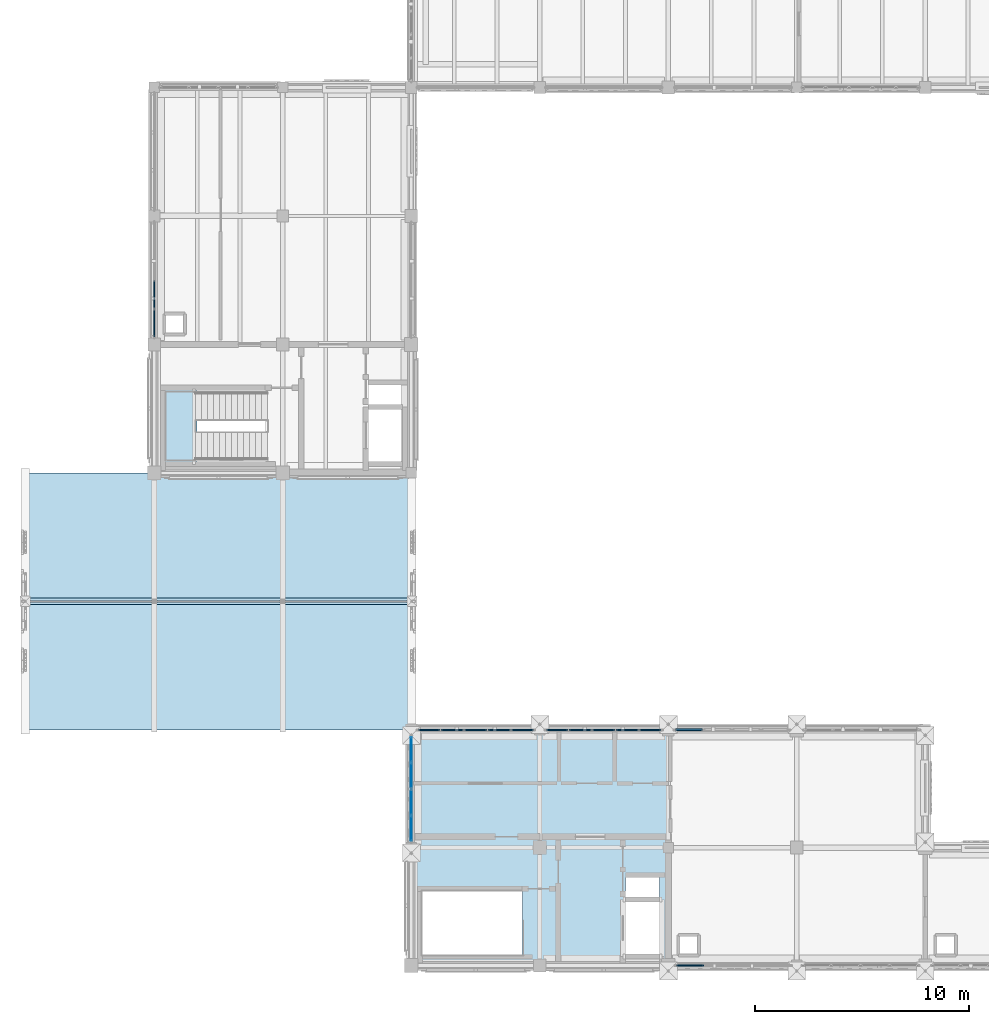
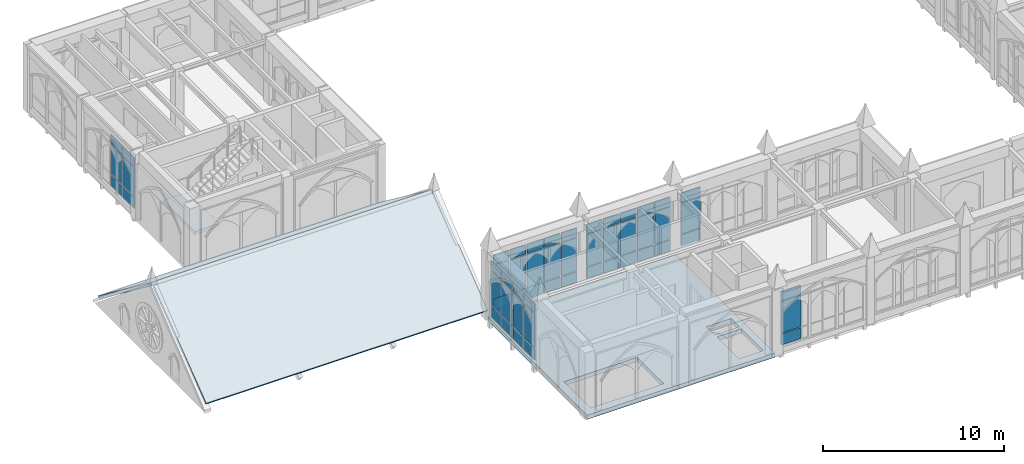
# One storey, part 84 of 143: 54 plates, 4 slabs, 7 elements without a shape of their own.
"""IFC4 building model written with IfcOpenShell, lengths in metres."""

from ifc_helpers import new_model, si_unit, direction, frame, origin, origin_2d, place, context, subcontext, project, spatial, polyline, rectangle, outline, extrude, material, layer, layer_set, type_object, element, aggregate, save


model = new_model("IFC4")

# Units and contexts
model_context = context("Model", 3, precision=1e-05, world=origin(), true_north=direction((0.0, 1.0)))
body_context = subcontext(model_context, "Body", "Model", "MODEL_VIEW")
ifc_project = project(units=[si_unit("LENGTHUNIT", "METRE"), si_unit("AREAUNIT", "SQUARE_METRE"), si_unit("VOLUMEUNIT", "CUBIC_METRE"), si_unit("PLANEANGLEUNIT", "RADIAN"), si_unit("MASSUNIT", "GRAM", prefix="KILO")], contexts=[model_context])

# Site, building, storey
site_placement = place(None, origin())
site = spatial("IfcSite", under=ifc_project, at=site_placement, CompositionType="ELEMENT")
building_placement = place(site_placement, origin())
building = spatial("IfcBuilding", under=site, at=building_placement, Name="Cumevento Cable Car Station", CompositionType="ELEMENT")
storey_placement = place(building_placement, frame((0.0, 0.0, 9.0)))
storey = spatial("IfcBuildingStorey", under=building, at=storey_placement, Name="L03", CompositionType="ELEMENT", Elevation=9.0)

# Slabs
ifc_material_1 = material(Name="Concrete C40/50", Category="concrete")
ifc_layer_1 = layer(ifc_material_1, 0.283935546875)
ifc_layer_set_1 = layer_set([ifc_layer_1], Name="Concrete C40/50")
slab_type_1 = type_object("IfcSlabType", Name="Concrete Deck FS-284 284", PredefinedType="FLOOR", material=ifc_layer_set_1)
slab_1_placement = place(storey_placement, frame((0.0, 0.0, -0.283935546875)))
element("IfcSlab", 1, at=slab_1_placement, inside=storey, type_object=slab_type_1, Name="Floor Slab FS-284 L03 B_V1a.1", PredefinedType="FLOOR", context=body_context, shape_type="SweptSolid", body=[
    extrude(outline(polyline([(22.0, 4.0), (34.0, 4.0), (34.0, 15.0), (22.0, 15.0), (22.0, 4.0)]), holes=[polyline([(32.010009765625, 4.5400390625), (33.580078125, 4.5400390625), (33.580078125, 6.9599609375), (32.010009765625, 6.9599609375), (32.010009765625, 4.5400390625)]), polyline([(22.52001953125, 4.52001953125), (27.199951171875, 4.52001953125), (27.199951171875, 7.449951171875), (22.52001953125, 7.449951171875), (22.52001953125, 4.52001953125)]), polyline([(32.010009765625, 7.199951171875), (33.580078125, 7.199951171875), (33.580078125, 8.10009765625), (32.010009765625, 8.10009765625), (32.010009765625, 7.199951171875)])]), origin(), (0.0, 0.0, 1.0), 0.283935546875),
])
ifc_material_2 = material(Name="Concrete C40/50", Category="concrete")
ifc_layer_2 = layer(ifc_material_2, 0.18505859375)
ifc_layer_set_2 = layer_set([ifc_layer_2], Name="Concrete C40/50")
slab_type_2 = type_object("IfcSlabType", Name="Concrete Deck RS-185 185", PredefinedType="ROOF", material=ifc_layer_set_2)
for number, where, z_axis, x_axis, name in (
    (2, (4.0, 15.0, 0.427978515625), (0.0, -0.60425681412, 0.796789622541), (1.0, 0.0, 0.0), "Wing B_V6a Gable Roof South"),
    (3, (4.0, 21.155029296875, 4.860595703125), (0.0, 0.60425681412, 0.796789622541), (1.0, 0.0, 0.0), "Wing B_V6a Gable Roof North"),
):
    element("IfcSlab", number, at=place(storey_placement, frame(where, z_axis=z_axis, x_axis=x_axis)), inside=storey, type_object=slab_type_2, Name=name, PredefinedType="ROOF", context=body_context, shape_type="SweptSolid", body=[
        extrude(outline(polyline([(0.0, 0.0), (18.0, 0.0), (18.0, 7.335651140240379), (0.0, 7.335651140240379), (0.0, 0.0)])), origin(), (0.0, 0.0, -1.0), 0.18505859375),
    ])

# Curtain wall, plates
ifc_material_3 = material(Name="Anodised Bronze Aluminium AW-6063-T6", Category="aluminium")
ifc_layer_3 = layer(ifc_material_3, 0.2080078125)
ifc_layer_set_3 = layer_set([ifc_layer_3], Name="Anodised Bronze Aluminium AW-6063-T6")
curtain_wall_type_1 = type_object("IfcCurtainWallType", Name="Lancet Curtain Wall CW-09 1370", PredefinedType="NOTDEFINED", material=ifc_layer_set_3)
curtain_wall_1_placement = place(storey_placement, origin())
curtain_wall_1 = element("IfcCurtainWall", 4, at=curtain_wall_1_placement, inside=storey, type_object=curtain_wall_type_1, Name="Lancet Curtain Wall CW-09 L03 #72", PredefinedType="NOTDEFINED")
ifc_material_4 = material(Name="Solar Control Laminated Double Glazing", Category="glass")
ifc_layer_4 = layer(ifc_material_4, 0.030029296875)
ifc_layer_set_4 = layer_set([ifc_layer_4], Name="Solar Control Laminated Double Glazing")
plate_type_1 = type_object("IfcPlateType", Name="Glazed Panel CWP-03 30", PredefinedType="CURTAIN_PANEL", material=ifc_layer_set_4)
plate_1_placement = place(storey_placement, frame((22.0, 10.38818359375, 0.22509765625), z_axis=(0.0, 0.0, 1.0), x_axis=(0.0, 1.0, 0.0)))
plate_1 = element("IfcPlate", 5, at=plate_1_placement, type_object=plate_type_1, Name="CW-09 panel 1.1", PredefinedType="CURTAIN_PANEL", context=body_context, shape_type="SweptSolid", body=[
    extrude(rectangle(XDim=1.146240234375, YDim=0.030029296875, at=origin_2d()), origin(), (0.0, 0.0, 1.0), 0.75244140625),
])
plate_2_placement = place(storey_placement, frame((22.0, 10.38818359375, 1.04248046875), z_axis=(0.0, 0.0, 1.0), x_axis=(0.0, 1.0, 0.0)))
plate_2 = element("IfcPlate", 6, at=plate_2_placement, type_object=plate_type_1, Name="CW-09 panel 1.2", PredefinedType="CURTAIN_PANEL", context=body_context, shape_type="SweptSolid", body=[
    extrude(rectangle(XDim=1.146240234375, YDim=0.030029296875, at=origin_2d()), origin(), (0.0, 0.0, 1.0), 2.318115234375),
])
plate_3_placement = place(storey_placement, frame((22.0, 10.38818359375, 3.425537109375), z_axis=(0.0, 0.0, 1.0), x_axis=(0.0, 1.0, 0.0)))
plate_3 = element("IfcPlate", 7, at=plate_3_placement, type_object=plate_type_1, Name="CW-09 panel 1.3", PredefinedType="CURTAIN_PANEL", context=body_context, shape_type="SweptSolid", body=[
    extrude(rectangle(XDim=1.146240234375, YDim=0.030029296875, at=origin_2d()), origin(), (0.0, 0.0, 1.0), 0.6025390625),
])
plate_4_placement = place(storey_placement, frame((22.0, 11.61572265625, 0.22509765625), z_axis=(0.0, 0.0, 1.0), x_axis=(0.0, 1.0, 0.0)))
plate_4 = element("IfcPlate", 8, at=plate_4_placement, type_object=plate_type_1, Name="CW-09 panel 2.1", PredefinedType="CURTAIN_PANEL", context=body_context, shape_type="SweptSolid", body=[
    extrude(rectangle(XDim=1.1787109375, YDim=0.030029296875, at=origin_2d()), origin(), (0.0, 0.0, 1.0), 0.75244140625),
])
plate_5_placement = place(storey_placement, frame((22.0, 11.61572265625, 1.04248046875), z_axis=(0.0, 0.0, 1.0), x_axis=(0.0, 1.0, 0.0)))
plate_5 = element("IfcPlate", 9, at=plate_5_placement, type_object=plate_type_1, Name="CW-09 panel 2.2", PredefinedType="CURTAIN_PANEL", context=body_context, shape_type="SweptSolid", body=[
    extrude(rectangle(XDim=1.1787109375, YDim=0.030029296875, at=origin_2d()), origin(), (0.0, 0.0, 1.0), 2.318115234375),
])
plate_6_placement = place(storey_placement, frame((22.0, 11.61572265625, 3.425537109375), z_axis=(0.0, 0.0, 1.0), x_axis=(0.0, 1.0, 0.0)))
plate_6 = element("IfcPlate", 10, at=plate_6_placement, type_object=plate_type_1, Name="CW-09 panel 2.3", PredefinedType="CURTAIN_PANEL", context=body_context, shape_type="SweptSolid", body=[
    extrude(rectangle(XDim=1.1787109375, YDim=0.030029296875, at=origin_2d()), origin(), (0.0, 0.0, 1.0), 0.6025390625),
])
plate_7_placement = place(storey_placement, frame((22.0, 12.859375, 0.22509765625), z_axis=(0.0, 0.0, 1.0), x_axis=(0.0, 1.0, 0.0)))
plate_7 = element("IfcPlate", 11, at=plate_7_placement, type_object=plate_type_1, Name="CW-09 panel 3.1", PredefinedType="CURTAIN_PANEL", context=body_context, shape_type="SweptSolid", body=[
    extrude(rectangle(XDim=1.1787109375, YDim=0.030029296875, at=origin_2d()), origin(), (0.0, 0.0, 1.0), 0.75244140625),
])
plate_8_placement = place(storey_placement, frame((22.0, 12.859375, 1.04248046875), z_axis=(0.0, 0.0, 1.0), x_axis=(0.0, 1.0, 0.0)))
plate_8 = element("IfcPlate", 12, at=plate_8_placement, type_object=plate_type_1, Name="CW-09 panel 3.2", PredefinedType="CURTAIN_PANEL", context=body_context, shape_type="SweptSolid", body=[
    extrude(rectangle(XDim=1.1787109375, YDim=0.030029296875, at=origin_2d()), origin(), (0.0, 0.0, 1.0), 2.318115234375),
])
plate_9_placement = place(storey_placement, frame((22.0, 12.859375, 3.425537109375), z_axis=(0.0, 0.0, 1.0), x_axis=(0.0, 1.0, 0.0)))
plate_9 = element("IfcPlate", 13, at=plate_9_placement, type_object=plate_type_1, Name="CW-09 panel 3.3", PredefinedType="CURTAIN_PANEL", context=body_context, shape_type="SweptSolid", body=[
    extrude(rectangle(XDim=1.1787109375, YDim=0.030029296875, at=origin_2d()), origin(), (0.0, 0.0, 1.0), 0.6025390625),
])
plate_10_placement = place(storey_placement, frame((22.0, 14.0869140625, 0.22509765625), z_axis=(0.0, 0.0, 1.0), x_axis=(0.0, 1.0, 0.0)))
plate_10 = element("IfcPlate", 14, at=plate_10_placement, type_object=plate_type_1, Name="CW-09 panel 4.1", PredefinedType="CURTAIN_PANEL", context=body_context, shape_type="SweptSolid", body=[
    extrude(rectangle(XDim=1.146240234375, YDim=0.030029296875, at=origin_2d()), origin(), (0.0, 0.0, 1.0), 0.75244140625),
])
plate_11_placement = place(storey_placement, frame((22.0, 14.0869140625, 1.04248046875), z_axis=(0.0, 0.0, 1.0), x_axis=(0.0, 1.0, 0.0)))
plate_11 = element("IfcPlate", 15, at=plate_11_placement, type_object=plate_type_1, Name="CW-09 panel 4.2", PredefinedType="CURTAIN_PANEL", context=body_context, shape_type="SweptSolid", body=[
    extrude(rectangle(XDim=1.146240234375, YDim=0.030029296875, at=origin_2d()), origin(), (0.0, 0.0, 1.0), 2.318115234375),
])
plate_12_placement = place(storey_placement, frame((22.0, 14.0869140625, 3.425537109375), z_axis=(0.0, 0.0, 1.0), x_axis=(0.0, 1.0, 0.0)))
plate_12 = element("IfcPlate", 16, at=plate_12_placement, type_object=plate_type_1, Name="CW-09 panel 4.3", PredefinedType="CURTAIN_PANEL", context=body_context, shape_type="SweptSolid", body=[
    extrude(rectangle(XDim=1.146240234375, YDim=0.030029296875, at=origin_2d()), origin(), (0.0, 0.0, 1.0), 0.6025390625),
])
aggregate(curtain_wall_1, [plate_1, plate_2, plate_3, plate_4, plate_5, plate_6, plate_7, plate_8, plate_9, plate_10, plate_11, plate_12])

ifc_material_5 = material(Name="Anodised Bronze Aluminium AW-6063-T6", Category="aluminium")
ifc_layer_5 = layer(ifc_material_5, 0.22607421875)
ifc_layer_set_5 = layer_set([ifc_layer_5], Name="Anodised Bronze Aluminium AW-6063-T6")
curtain_wall_type_2 = type_object("IfcCurtainWallType", Name="Lancet Curtain Wall CW-12 1490", PredefinedType="NOTDEFINED", material=ifc_layer_set_5)
curtain_wall_2_placement = place(storey_placement, origin())
curtain_wall_2 = element("IfcCurtainWall", 17, at=curtain_wall_2_placement, inside=storey, type_object=curtain_wall_type_2, Name="Lancet Curtain Wall CW-12 L03 #91", PredefinedType="NOTDEFINED")
ifc_material_6 = material(Name="Solar Control Laminated Double Glazing", Category="glass")
ifc_layer_6 = layer(ifc_material_6, 0.050048828125)
ifc_layer_set_6 = layer_set([ifc_layer_6], Name="Solar Control Laminated Double Glazing")
plate_type_2 = type_object("IfcPlateType", Name="Glazed Panel CWP-08 50", PredefinedType="CURTAIN_PANEL", material=ifc_layer_set_6)
plate_13_placement = place(storey_placement, frame((10.0, 33.994384765625, 0.375), z_axis=(0.0, 0.0, 1.0), x_axis=(0.0, 1.0, 0.0)))
plate_13 = element("IfcPlate", 18, at=plate_13_placement, type_object=plate_type_2, Name="CW-12 panel 1.1", PredefinedType="CURTAIN_PANEL", context=body_context, shape_type="SweptSolid", body=[
    extrude(rectangle(XDim=1.2587890625, YDim=0.050048828125, at=origin_2d()), origin(), (0.0, 0.0, 1.0), 0.75244140625),
])
plate_14_placement = place(storey_placement, frame((10.0, 33.994384765625, 1.1923828125), z_axis=(0.0, 0.0, 1.0), x_axis=(0.0, 1.0, 0.0)))
plate_14 = element("IfcPlate", 19, at=plate_14_placement, type_object=plate_type_2, Name="CW-12 panel 1.2", PredefinedType="CURTAIN_PANEL", context=body_context, shape_type="SweptSolid", body=[
    extrude(rectangle(XDim=1.2587890625, YDim=0.050048828125, at=origin_2d()), origin(), (0.0, 0.0, 1.0), 1.968017578125),
])
plate_15_placement = place(storey_placement, frame((10.0, 33.994384765625, 3.2255859375), z_axis=(0.0, 0.0, 1.0), x_axis=(0.0, 1.0, 0.0)))
plate_15 = element("IfcPlate", 20, at=plate_15_placement, type_object=plate_type_2, Name="CW-12 panel 1.3", PredefinedType="CURTAIN_PANEL", context=body_context, shape_type="SweptSolid", body=[
    extrude(rectangle(XDim=1.2587890625, YDim=0.050048828125, at=origin_2d()), origin(), (0.0, 0.0, 1.0), 0.6025390625),
])
plate_16_placement = place(storey_placement, frame((10.0, 35.33447265625, 0.375), z_axis=(0.0, 0.0, 1.0), x_axis=(0.0, 1.0, 0.0)))
plate_16 = element("IfcPlate", 21, at=plate_16_placement, type_object=plate_type_2, Name="CW-12 panel 2.1", PredefinedType="CURTAIN_PANEL", context=body_context, shape_type="SweptSolid", body=[
    extrude(rectangle(XDim=1.291259765625, YDim=0.050048828125, at=origin_2d()), origin(), (0.0, 0.0, 1.0), 0.75244140625),
])
plate_17_placement = place(storey_placement, frame((10.0, 35.33447265625, 1.1923828125), z_axis=(0.0, 0.0, 1.0), x_axis=(0.0, 1.0, 0.0)))
plate_17 = element("IfcPlate", 22, at=plate_17_placement, type_object=plate_type_2, Name="CW-12 panel 2.2", PredefinedType="CURTAIN_PANEL", context=body_context, shape_type="SweptSolid", body=[
    extrude(rectangle(XDim=1.291259765625, YDim=0.050048828125, at=origin_2d()), origin(), (0.0, 0.0, 1.0), 1.968017578125),
])
plate_18_placement = place(storey_placement, frame((10.0, 35.33447265625, 3.2255859375), z_axis=(0.0, 0.0, 1.0), x_axis=(0.0, 1.0, 0.0)))
plate_18 = element("IfcPlate", 23, at=plate_18_placement, type_object=plate_type_2, Name="CW-12 panel 2.3", PredefinedType="CURTAIN_PANEL", context=body_context, shape_type="SweptSolid", body=[
    extrude(rectangle(XDim=1.291259765625, YDim=0.050048828125, at=origin_2d()), origin(), (0.0, 0.0, 1.0), 0.6025390625),
])
aggregate(curtain_wall_2, [plate_13, plate_14, plate_15, plate_16, plate_17, plate_18])

ifc_material_7 = material(Name="Anodised Bronze Aluminium AW-6063-T6", Category="aluminium")
ifc_layer_7 = layer(ifc_material_7, 0.172119140625)
ifc_layer_set_7 = layer_set([ifc_layer_7], Name="Anodised Bronze Aluminium AW-6063-T6")
curtain_wall_type_3 = type_object("IfcCurtainWallType", Name="Lancet Curtain Wall CW-03 1130", PredefinedType="NOTDEFINED", material=ifc_layer_set_7)
curtain_wall_3_placement = place(storey_placement, origin())
curtain_wall_3 = element("IfcCurtainWall", 24, at=curtain_wall_3_placement, inside=storey, type_object=curtain_wall_type_3, Name="Lancet Curtain Wall CW-03 L03 #66", PredefinedType="NOTDEFINED")
ifc_material_8 = material(Name="Insulated Bronze Aluminium Spandrel Panel", Category="aluminium")
ifc_layer_8 = layer(ifc_material_8, 0.06591796875)
ifc_layer_set_8 = layer_set([ifc_layer_8], Name="Insulated Bronze Aluminium Spandrel Panel")
plate_type_3 = type_object("IfcPlateType", Name="Spandrel Panel CWP-11 66", PredefinedType="CURTAIN_PANEL", material=ifc_layer_set_8)
plate_19_placement = place(storey_placement, frame((22.8388671875, 15.0, 0.324951171875), z_axis=(0.0, 0.0, 1.0), x_axis=(1.0, 0.0, 0.0)))
plate_19 = element("IfcPlate", 25, at=plate_19_placement, type_object=plate_type_3, Name="CW-03 panel 1.1", PredefinedType="CURTAIN_PANEL", context=body_context, shape_type="SweptSolid", body=[
    extrude(rectangle(XDim=0.99755859375, YDim=0.06591796875, at=origin_2d()), origin(), (0.0, 0.0, 1.0), 0.75244140625),
])
plate_20_placement = place(storey_placement, frame((22.8388671875, 15.0, 1.142578125), z_axis=(0.0, 0.0, 1.0), x_axis=(1.0, 0.0, 0.0)))
plate_20 = element("IfcPlate", 26, at=plate_20_placement, type_object=plate_type_3, Name="CW-03 panel 1.2", PredefinedType="CURTAIN_PANEL", context=body_context, shape_type="SweptSolid", body=[
    extrude(rectangle(XDim=0.99755859375, YDim=0.06591796875, at=origin_2d()), origin(), (0.0, 0.0, 1.0), 2.218017578125),
])
plate_21_placement = place(storey_placement, frame((22.8388671875, 15.0, 3.425537109375), z_axis=(0.0, 0.0, 1.0), x_axis=(1.0, 0.0, 0.0)))
plate_21 = element("IfcPlate", 27, at=plate_21_placement, type_object=plate_type_3, Name="CW-03 panel 1.3", PredefinedType="CURTAIN_PANEL", context=body_context, shape_type="SweptSolid", body=[
    extrude(rectangle(XDim=0.99755859375, YDim=0.06591796875, at=origin_2d()), origin(), (0.0, 0.0, 1.0), 0.6025390625),
])
plate_22_placement = place(storey_placement, frame((23.91748046875, 15.0, 0.324951171875), z_axis=(0.0, 0.0, 1.0), x_axis=(1.0, 0.0, 0.0)))
plate_22 = element("IfcPlate", 28, at=plate_22_placement, type_object=plate_type_3, Name="CW-03 panel 2.1", PredefinedType="CURTAIN_PANEL", context=body_context, shape_type="SweptSolid", body=[
    extrude(rectangle(XDim=1.030029296875, YDim=0.06591796875, at=origin_2d()), origin(), (0.0, 0.0, 1.0), 0.75244140625),
])
plate_23_placement = place(storey_placement, frame((23.91748046875, 15.0, 1.142578125), z_axis=(0.0, 0.0, 1.0), x_axis=(1.0, 0.0, 0.0)))
plate_23 = element("IfcPlate", 29, at=plate_23_placement, type_object=plate_type_3, Name="CW-03 panel 2.2", PredefinedType="CURTAIN_PANEL", context=body_context, shape_type="SweptSolid", body=[
    extrude(rectangle(XDim=1.030029296875, YDim=0.06591796875, at=origin_2d()), origin(), (0.0, 0.0, 1.0), 2.218017578125),
])
plate_24_placement = place(storey_placement, frame((23.91748046875, 15.0, 3.425537109375), z_axis=(0.0, 0.0, 1.0), x_axis=(1.0, 0.0, 0.0)))
plate_24 = element("IfcPlate", 30, at=plate_24_placement, type_object=plate_type_3, Name="CW-03 panel 2.3", PredefinedType="CURTAIN_PANEL", context=body_context, shape_type="SweptSolid", body=[
    extrude(rectangle(XDim=1.030029296875, YDim=0.06591796875, at=origin_2d()), origin(), (0.0, 0.0, 1.0), 0.6025390625),
])
plate_25_placement = place(storey_placement, frame((25.012451171875, 15.0, 0.324951171875), z_axis=(0.0, 0.0, 1.0), x_axis=(1.0, 0.0, 0.0)))
plate_25 = element("IfcPlate", 31, at=plate_25_placement, type_object=plate_type_3, Name="CW-03 panel 3.1", PredefinedType="CURTAIN_PANEL", context=body_context, shape_type="SweptSolid", body=[
    extrude(rectangle(XDim=1.030029296875, YDim=0.06591796875, at=origin_2d()), origin(), (0.0, 0.0, 1.0), 0.75244140625),
])
plate_26_placement = place(storey_placement, frame((25.012451171875, 15.0, 1.142578125), z_axis=(0.0, 0.0, 1.0), x_axis=(1.0, 0.0, 0.0)))
plate_26 = element("IfcPlate", 32, at=plate_26_placement, type_object=plate_type_3, Name="CW-03 panel 3.2", PredefinedType="CURTAIN_PANEL", context=body_context, shape_type="SweptSolid", body=[
    extrude(rectangle(XDim=1.030029296875, YDim=0.06591796875, at=origin_2d()), origin(), (0.0, 0.0, 1.0), 2.218017578125),
])
plate_27_placement = place(storey_placement, frame((25.012451171875, 15.0, 3.425537109375), z_axis=(0.0, 0.0, 1.0), x_axis=(1.0, 0.0, 0.0)))
plate_27 = element("IfcPlate", 33, at=plate_27_placement, type_object=plate_type_3, Name="CW-03 panel 3.3", PredefinedType="CURTAIN_PANEL", context=body_context, shape_type="SweptSolid", body=[
    extrude(rectangle(XDim=1.030029296875, YDim=0.06591796875, at=origin_2d()), origin(), (0.0, 0.0, 1.0), 0.6025390625),
])
plate_28_placement = place(storey_placement, frame((26.107421875, 15.0, 0.324951171875), z_axis=(0.0, 0.0, 1.0), x_axis=(1.0, 0.0, 0.0)))
plate_28 = element("IfcPlate", 34, at=plate_28_placement, type_object=plate_type_3, Name="CW-03 panel 4.1", PredefinedType="CURTAIN_PANEL", context=body_context, shape_type="SweptSolid", body=[
    extrude(rectangle(XDim=1.030029296875, YDim=0.06591796875, at=origin_2d()), origin(), (0.0, 0.0, 1.0), 0.75244140625),
])
plate_29_placement = place(storey_placement, frame((26.107421875, 15.0, 1.142578125), z_axis=(0.0, 0.0, 1.0), x_axis=(1.0, 0.0, 0.0)))
plate_29 = element("IfcPlate", 35, at=plate_29_placement, type_object=plate_type_3, Name="CW-03 panel 4.2", PredefinedType="CURTAIN_PANEL", context=body_context, shape_type="SweptSolid", body=[
    extrude(rectangle(XDim=1.030029296875, YDim=0.06591796875, at=origin_2d()), origin(), (0.0, 0.0, 1.0), 2.218017578125),
])
plate_30_placement = place(storey_placement, frame((26.107421875, 15.0, 3.425537109375), z_axis=(0.0, 0.0, 1.0), x_axis=(1.0, 0.0, 0.0)))
plate_30 = element("IfcPlate", 36, at=plate_30_placement, type_object=plate_type_3, Name="CW-03 panel 4.3", PredefinedType="CURTAIN_PANEL", context=body_context, shape_type="SweptSolid", body=[
    extrude(rectangle(XDim=1.030029296875, YDim=0.06591796875, at=origin_2d()), origin(), (0.0, 0.0, 1.0), 0.6025390625),
])
plate_31_placement = place(storey_placement, frame((27.186279296875, 15.0, 0.324951171875), z_axis=(0.0, 0.0, 1.0), x_axis=(1.0, 0.0, 0.0)))
plate_31 = element("IfcPlate", 37, at=plate_31_placement, type_object=plate_type_3, Name="CW-03 panel 5.1", PredefinedType="CURTAIN_PANEL", context=body_context, shape_type="SweptSolid", body=[
    extrude(rectangle(XDim=0.99755859375, YDim=0.06591796875, at=origin_2d()), origin(), (0.0, 0.0, 1.0), 0.75244140625),
])
plate_32_placement = place(storey_placement, frame((27.186279296875, 15.0, 1.142578125), z_axis=(0.0, 0.0, 1.0), x_axis=(1.0, 0.0, 0.0)))
plate_32 = element("IfcPlate", 38, at=plate_32_placement, type_object=plate_type_3, Name="CW-03 panel 5.2", PredefinedType="CURTAIN_PANEL", context=body_context, shape_type="SweptSolid", body=[
    extrude(rectangle(XDim=0.99755859375, YDim=0.06591796875, at=origin_2d()), origin(), (0.0, 0.0, 1.0), 2.218017578125),
])
plate_33_placement = place(storey_placement, frame((27.186279296875, 15.0, 3.425537109375), z_axis=(0.0, 0.0, 1.0), x_axis=(1.0, 0.0, 0.0)))
plate_33 = element("IfcPlate", 39, at=plate_33_placement, type_object=plate_type_3, Name="CW-03 panel 5.3", PredefinedType="CURTAIN_PANEL", context=body_context, shape_type="SweptSolid", body=[
    extrude(rectangle(XDim=0.99755859375, YDim=0.06591796875, at=origin_2d()), origin(), (0.0, 0.0, 1.0), 0.6025390625),
])
aggregate(curtain_wall_3, [plate_19, plate_20, plate_21, plate_22, plate_23, plate_24, plate_25, plate_26, plate_27, plate_28, plate_29, plate_30, plate_31, plate_32, plate_33])

ifc_material_9 = material(Name="Anodised Bronze Aluminium AW-6063-T6", Category="aluminium")
ifc_layer_9 = layer(ifc_material_9, 0.177978515625)
ifc_layer_set_9 = layer_set([ifc_layer_9], Name="Anodised Bronze Aluminium AW-6063-T6")
curtain_wall_type_4 = type_object("IfcCurtainWallType", Name="Lancet Curtain Wall CW-04 1170", PredefinedType="NOTDEFINED", material=ifc_layer_set_9)
curtain_wall_4_placement = place(storey_placement, origin())
curtain_wall_4 = element("IfcCurtainWall", 40, at=curtain_wall_4_placement, inside=storey, type_object=curtain_wall_type_4, Name="Lancet Curtain Wall CW-04 L03 #67", PredefinedType="NOTDEFINED")
ifc_material_10 = material(Name="Insulated Bronze Aluminium Spandrel Panel", Category="aluminium")
ifc_layer_10 = layer(ifc_material_10, 0.072021484375)
ifc_layer_set_10 = layer_set([ifc_layer_10], Name="Insulated Bronze Aluminium Spandrel Panel")
plate_type_4 = type_object("IfcPlateType", Name="Spandrel Panel CWP-12 72", PredefinedType="CURTAIN_PANEL", material=ifc_layer_set_10)
plate_34_placement = place(storey_placement, frame((28.813720703125, 15.0, 0.375), z_axis=(0.0, 0.0, 1.0), x_axis=(1.0, 0.0, 0.0)))
plate_34 = element("IfcPlate", 41, at=plate_34_placement, type_object=plate_type_4, Name="CW-04 panel 1.1", PredefinedType="CURTAIN_PANEL", context=body_context, shape_type="SweptSolid", body=[
    extrude(rectangle(XDim=0.99755859375, YDim=0.072021484375, at=origin_2d()), origin(), (0.0, 0.0, 1.0), 0.75244140625),
])
plate_35_placement = place(storey_placement, frame((28.813720703125, 15.0, 1.192626953125), z_axis=(0.0, 0.0, 1.0), x_axis=(1.0, 0.0, 0.0)))
plate_35 = element("IfcPlate", 42, at=plate_35_placement, type_object=plate_type_4, Name="CW-04 panel 1.2", PredefinedType="CURTAIN_PANEL", context=body_context, shape_type="SweptSolid", body=[
    extrude(rectangle(XDim=0.99755859375, YDim=0.072021484375, at=origin_2d()), origin(), (0.0, 0.0, 1.0), 2.16796875),
])
plate_36_placement = place(storey_placement, frame((28.813720703125, 15.0, 3.425537109375), z_axis=(0.0, 0.0, 1.0), x_axis=(1.0, 0.0, 0.0)))
plate_36 = element("IfcPlate", 43, at=plate_36_placement, type_object=plate_type_4, Name="CW-04 panel 1.3", PredefinedType="CURTAIN_PANEL", context=body_context, shape_type="SweptSolid", body=[
    extrude(rectangle(XDim=0.99755859375, YDim=0.072021484375, at=origin_2d()), origin(), (0.0, 0.0, 1.0), 0.6025390625),
])
plate_37_placement = place(storey_placement, frame((29.892578125, 15.0, 0.375), z_axis=(0.0, 0.0, 1.0), x_axis=(1.0, 0.0, 0.0)))
plate_37 = element("IfcPlate", 44, at=plate_37_placement, type_object=plate_type_4, Name="CW-04 panel 2.1", PredefinedType="CURTAIN_PANEL", context=body_context, shape_type="SweptSolid", body=[
    extrude(rectangle(XDim=1.030029296875, YDim=0.072021484375, at=origin_2d()), origin(), (0.0, 0.0, 1.0), 0.75244140625),
])
plate_38_placement = place(storey_placement, frame((29.892578125, 15.0, 1.192626953125), z_axis=(0.0, 0.0, 1.0), x_axis=(1.0, 0.0, 0.0)))
plate_38 = element("IfcPlate", 45, at=plate_38_placement, type_object=plate_type_4, Name="CW-04 panel 2.2", PredefinedType="CURTAIN_PANEL", context=body_context, shape_type="SweptSolid", body=[
    extrude(rectangle(XDim=1.030029296875, YDim=0.072021484375, at=origin_2d()), origin(), (0.0, 0.0, 1.0), 2.16796875),
])
plate_39_placement = place(storey_placement, frame((29.892578125, 15.0, 3.425537109375), z_axis=(0.0, 0.0, 1.0), x_axis=(1.0, 0.0, 0.0)))
plate_39 = element("IfcPlate", 46, at=plate_39_placement, type_object=plate_type_4, Name="CW-04 panel 2.3", PredefinedType="CURTAIN_PANEL", context=body_context, shape_type="SweptSolid", body=[
    extrude(rectangle(XDim=1.030029296875, YDim=0.072021484375, at=origin_2d()), origin(), (0.0, 0.0, 1.0), 0.6025390625),
])
plate_40_placement = place(storey_placement, frame((30.987548828125, 15.0, 0.375), z_axis=(0.0, 0.0, 1.0), x_axis=(1.0, 0.0, 0.0)))
plate_40 = element("IfcPlate", 47, at=plate_40_placement, type_object=plate_type_4, Name="CW-04 panel 3.1", PredefinedType="CURTAIN_PANEL", context=body_context, shape_type="SweptSolid", body=[
    extrude(rectangle(XDim=1.030029296875, YDim=0.072021484375, at=origin_2d()), origin(), (0.0, 0.0, 1.0), 0.75244140625),
])
plate_41_placement = place(storey_placement, frame((30.987548828125, 15.0, 1.192626953125), z_axis=(0.0, 0.0, 1.0), x_axis=(1.0, 0.0, 0.0)))
plate_41 = element("IfcPlate", 48, at=plate_41_placement, type_object=plate_type_4, Name="CW-04 panel 3.2", PredefinedType="CURTAIN_PANEL", context=body_context, shape_type="SweptSolid", body=[
    extrude(rectangle(XDim=1.030029296875, YDim=0.072021484375, at=origin_2d()), origin(), (0.0, 0.0, 1.0), 2.16796875),
])
plate_42_placement = place(storey_placement, frame((30.987548828125, 15.0, 3.425537109375), z_axis=(0.0, 0.0, 1.0), x_axis=(1.0, 0.0, 0.0)))
plate_42 = element("IfcPlate", 49, at=plate_42_placement, type_object=plate_type_4, Name="CW-04 panel 3.3", PredefinedType="CURTAIN_PANEL", context=body_context, shape_type="SweptSolid", body=[
    extrude(rectangle(XDim=1.030029296875, YDim=0.072021484375, at=origin_2d()), origin(), (0.0, 0.0, 1.0), 0.6025390625),
])
plate_43_placement = place(storey_placement, frame((32.08251953125, 15.0, 0.375), z_axis=(0.0, 0.0, 1.0), x_axis=(1.0, 0.0, 0.0)))
plate_43 = element("IfcPlate", 50, at=plate_43_placement, type_object=plate_type_4, Name="CW-04 panel 4.1", PredefinedType="CURTAIN_PANEL", context=body_context, shape_type="SweptSolid", body=[
    extrude(rectangle(XDim=1.030029296875, YDim=0.072021484375, at=origin_2d()), origin(), (0.0, 0.0, 1.0), 0.75244140625),
])
plate_44_placement = place(storey_placement, frame((32.08251953125, 15.0, 1.192626953125), z_axis=(0.0, 0.0, 1.0), x_axis=(1.0, 0.0, 0.0)))
plate_44 = element("IfcPlate", 51, at=plate_44_placement, type_object=plate_type_4, Name="CW-04 panel 4.2", PredefinedType="CURTAIN_PANEL", context=body_context, shape_type="SweptSolid", body=[
    extrude(rectangle(XDim=1.030029296875, YDim=0.072021484375, at=origin_2d()), origin(), (0.0, 0.0, 1.0), 2.16796875),
])
plate_45_placement = place(storey_placement, frame((32.08251953125, 15.0, 3.425537109375), z_axis=(0.0, 0.0, 1.0), x_axis=(1.0, 0.0, 0.0)))
plate_45 = element("IfcPlate", 52, at=plate_45_placement, type_object=plate_type_4, Name="CW-04 panel 4.3", PredefinedType="CURTAIN_PANEL", context=body_context, shape_type="SweptSolid", body=[
    extrude(rectangle(XDim=1.030029296875, YDim=0.072021484375, at=origin_2d()), origin(), (0.0, 0.0, 1.0), 0.6025390625),
])
plate_46_placement = place(storey_placement, frame((33.1611328125, 15.0, 0.375), z_axis=(0.0, 0.0, 1.0), x_axis=(1.0, 0.0, 0.0)))
plate_46 = element("IfcPlate", 53, at=plate_46_placement, type_object=plate_type_4, Name="CW-04 panel 5.1", PredefinedType="CURTAIN_PANEL", context=body_context, shape_type="SweptSolid", body=[
    extrude(rectangle(XDim=0.99755859375, YDim=0.072021484375, at=origin_2d()), origin(), (0.0, 0.0, 1.0), 0.75244140625),
])
plate_47_placement = place(storey_placement, frame((33.1611328125, 15.0, 1.192626953125), z_axis=(0.0, 0.0, 1.0), x_axis=(1.0, 0.0, 0.0)))
plate_47 = element("IfcPlate", 54, at=plate_47_placement, type_object=plate_type_4, Name="CW-04 panel 5.2", PredefinedType="CURTAIN_PANEL", context=body_context, shape_type="SweptSolid", body=[
    extrude(rectangle(XDim=0.99755859375, YDim=0.072021484375, at=origin_2d()), origin(), (0.0, 0.0, 1.0), 2.16796875),
])
plate_48_placement = place(storey_placement, frame((33.1611328125, 15.0, 3.425537109375), z_axis=(0.0, 0.0, 1.0), x_axis=(1.0, 0.0, 0.0)))
plate_48 = element("IfcPlate", 55, at=plate_48_placement, type_object=plate_type_4, Name="CW-04 panel 5.3", PredefinedType="CURTAIN_PANEL", context=body_context, shape_type="SweptSolid", body=[
    extrude(rectangle(XDim=0.99755859375, YDim=0.072021484375, at=origin_2d()), origin(), (0.0, 0.0, 1.0), 0.6025390625),
])
aggregate(curtain_wall_4, [plate_34, plate_35, plate_36, plate_37, plate_38, plate_39, plate_40, plate_41, plate_42, plate_43, plate_44, plate_45, plate_46, plate_47, plate_48])

ifc_material_11 = material(Name="Anodised Bronze Aluminium AW-6063-T6", Category="aluminium")
ifc_layer_11 = layer(ifc_material_11, 0.18408203125)
ifc_layer_set_11 = layer_set([ifc_layer_11], Name="Anodised Bronze Aluminium AW-6063-T6")
curtain_wall_type_5 = type_object("IfcCurtainWallType", Name="Lancet Curtain Wall CW-05 1210", PredefinedType="NOTDEFINED", material=ifc_layer_set_11)
curtain_wall_5_placement = place(storey_placement, origin())
curtain_wall_5 = element("IfcCurtainWall", 56, at=curtain_wall_5_placement, inside=storey, type_object=curtain_wall_type_5, Name="Lancet Curtain Wall CW-05 L03 #68", PredefinedType="NOTDEFINED")
ifc_material_12 = material(Name="Insulated Bronze Aluminium Spandrel Panel", Category="aluminium")
ifc_layer_12 = layer(ifc_material_12, 0.077880859375)
ifc_layer_set_12 = layer_set([ifc_layer_12], Name="Insulated Bronze Aluminium Spandrel Panel")
plate_type_5 = type_object("IfcPlateType", Name="Spandrel Panel CWP-13 78", PredefinedType="CURTAIN_PANEL", material=ifc_layer_set_12)
plate_49_placement = place(storey_placement, frame((35.019287109375, 4.0, 0.425048828125), z_axis=(0.0, 0.0, 1.0), x_axis=(-1.0, 0.0, 0.0)))
plate_49 = element("IfcPlate", 57, at=plate_49_placement, type_object=plate_type_5, Name="CW-05 panel 4.1", PredefinedType="CURTAIN_PANEL", context=body_context, shape_type="SweptSolid", body=[
    extrude(rectangle(XDim=1.2587890625, YDim=0.077880859375, at=origin_2d()), origin(), (0.0, 0.0, 1.0), 0.75244140625),
])
plate_50_placement = place(storey_placement, frame((35.019287109375, 4.0, 1.24267578125), z_axis=(0.0, 0.0, 1.0), x_axis=(-1.0, 0.0, 0.0)))
plate_50 = element("IfcPlate", 58, at=plate_50_placement, type_object=plate_type_5, Name="CW-05 panel 4.2", PredefinedType="CURTAIN_PANEL", context=body_context, shape_type="SweptSolid", body=[
    extrude(rectangle(XDim=1.2587890625, YDim=0.077880859375, at=origin_2d()), origin(), (0.0, 0.0, 1.0), 2.117919921875),
])
plate_51_placement = place(storey_placement, frame((35.019287109375, 4.0, 3.425537109375), z_axis=(0.0, 0.0, 1.0), x_axis=(-1.0, 0.0, 0.0)))
plate_51 = element("IfcPlate", 59, at=plate_51_placement, type_object=plate_type_5, Name="CW-05 panel 4.3", PredefinedType="CURTAIN_PANEL", context=body_context, shape_type="SweptSolid", body=[
    extrude(rectangle(XDim=1.2587890625, YDim=0.077880859375, at=origin_2d()), origin(), (0.0, 0.0, 1.0), 0.6025390625),
])
aggregate(curtain_wall_5, [plate_49, plate_50, plate_51])

ifc_material_13 = material(Name="Anodised Bronze Aluminium AW-6063-T6", Category="aluminium")
ifc_layer_13 = layer(ifc_material_13, 0.18994140625)
ifc_layer_set_13 = layer_set([ifc_layer_13], Name="Anodised Bronze Aluminium AW-6063-T6")
curtain_wall_type_6 = type_object("IfcCurtainWallType", Name="Lancet Curtain Wall CW-06 1250", PredefinedType="NOTDEFINED", material=ifc_layer_set_13)
curtain_wall_6_placement = place(storey_placement, origin())
curtain_wall_6 = element("IfcCurtainWall", 60, at=curtain_wall_6_placement, inside=storey, type_object=curtain_wall_type_6, Name="Lancet Curtain Wall CW-06 L03 #69", PredefinedType="NOTDEFINED")
ifc_material_14 = material(Name="Insulated Bronze Aluminium Spandrel Panel", Category="aluminium")
ifc_layer_14 = layer(ifc_material_14, 0.0849609375)
ifc_layer_set_14 = layer_set([ifc_layer_14], Name="Insulated Bronze Aluminium Spandrel Panel")
plate_type_6 = type_object("IfcPlateType", Name="Spandrel Panel CWP-14 85", PredefinedType="CURTAIN_PANEL", material=ifc_layer_set_14)
plate_52_placement = place(storey_placement, frame((34.96630859375, 15.0, 0.47509765625), z_axis=(0.0, 0.0, 1.0), x_axis=(1.0, 0.0, 0.0)))
plate_52 = element("IfcPlate", 61, at=plate_52_placement, type_object=plate_type_6, Name="CW-06 panel 1.1", PredefinedType="CURTAIN_PANEL", context=body_context, shape_type="SweptSolid", body=[
    extrude(rectangle(XDim=1.25244140625, YDim=0.0849609375, at=origin_2d()), origin(), (0.0, 0.0, 1.0), 0.75244140625),
])
plate_53_placement = place(storey_placement, frame((34.96630859375, 15.0, 1.29248046875), z_axis=(0.0, 0.0, 1.0), x_axis=(1.0, 0.0, 0.0)))
plate_53 = element("IfcPlate", 62, at=plate_53_placement, type_object=plate_type_6, Name="CW-06 panel 1.2", PredefinedType="CURTAIN_PANEL", context=body_context, shape_type="SweptSolid", body=[
    extrude(rectangle(XDim=1.25244140625, YDim=0.0849609375, at=origin_2d()), origin(), (0.0, 0.0, 1.0), 2.068115234375),
])
plate_54_placement = place(storey_placement, frame((34.96630859375, 15.0, 3.425537109375), z_axis=(0.0, 0.0, 1.0), x_axis=(1.0, 0.0, 0.0)))
plate_54 = element("IfcPlate", 63, at=plate_54_placement, type_object=plate_type_6, Name="CW-06 panel 1.3", PredefinedType="CURTAIN_PANEL", context=body_context, shape_type="SweptSolid", body=[
    extrude(rectangle(XDim=1.25244140625, YDim=0.0849609375, at=origin_2d()), origin(), (0.0, 0.0, 1.0), 0.6025390625),
])
aggregate(curtain_wall_6, [plate_52, plate_53, plate_54])

# Stair, slab
ifc_material_15 = material(Name="Concrete C40/50", Category="concrete")
stair_type = type_object("IfcStairType", Name="Half-Turn Stair ST-T05 1380", PredefinedType="HALF_TURN_STAIR", material=ifc_material_15)
stair_placement = place(storey_placement, origin())
stair = element("IfcStair", 64, at=stair_placement, inside=storey, type_object=stair_type, Name="Enclosed Exit Stair ST-03 (L03 to L04)", PredefinedType="HALF_TURN_STAIR")
ifc_material_16 = material(Name="Concrete C40/50", Category="concrete")
ifc_layer_15 = layer(ifc_material_16, 0.215087890625)
ifc_layer_set_15 = layer_set([ifc_layer_15], Name="Concrete C40/50")
slab_type_3 = type_object("IfcSlabType", Name="Stair Landing STL-T05 215", PredefinedType="LANDING", material=ifc_layer_set_15)
slab_2_placement = place(storey_placement, frame((0.0, 0.0, 2.034912109375)))
slab_2 = element("IfcSlab", 65, at=slab_2_placement, type_object=slab_type_3, Name="ST-03-L03 Half-Landing", PredefinedType="LANDING", context=body_context, shape_type="SweptSolid", body=[
    extrude(outline(polyline([(10.43994140625, 27.43994140625), (12.0, 27.43994140625), (12.0, 30.929931640625), (10.43994140625, 30.929931640625), (10.43994140625, 27.43994140625)])), origin(), (0.0, 0.0, 1.0), 0.215087890625),
])
aggregate(stair, [slab_2])

save(model, "model.ifc")
